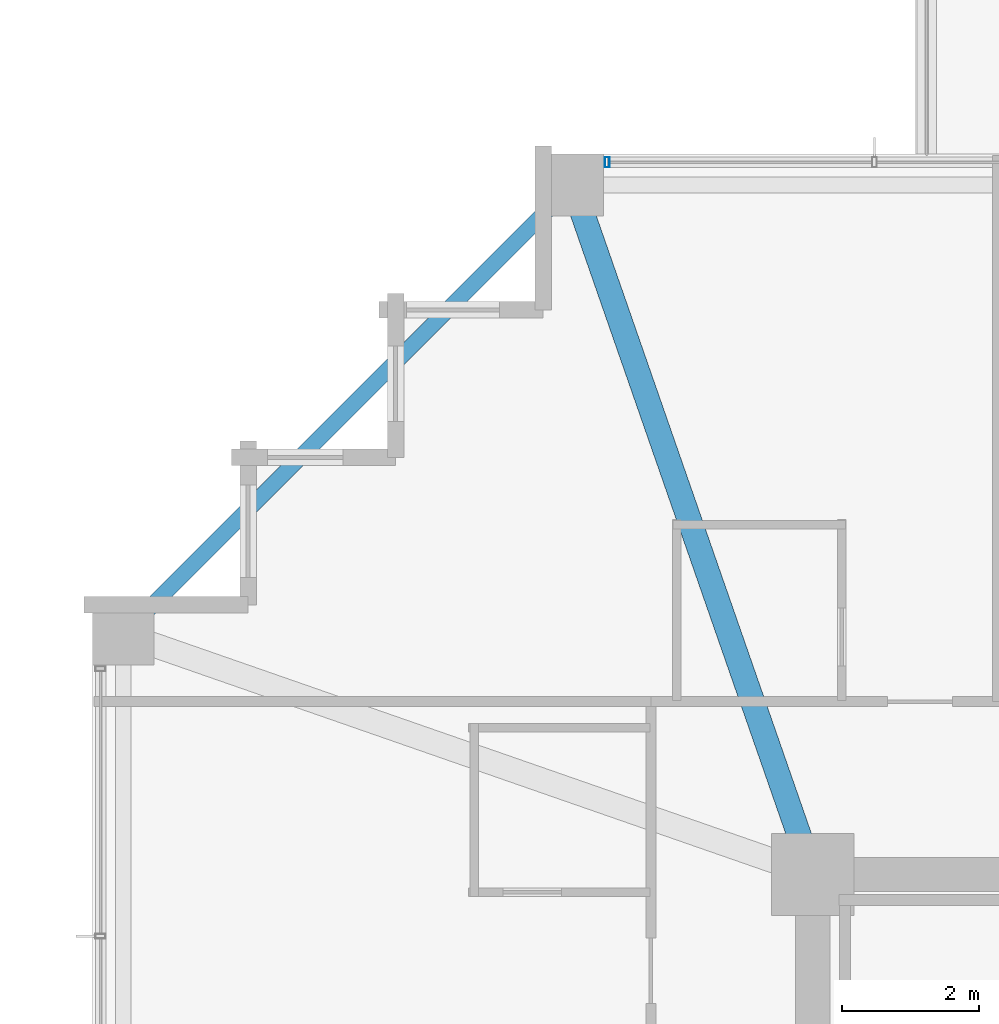
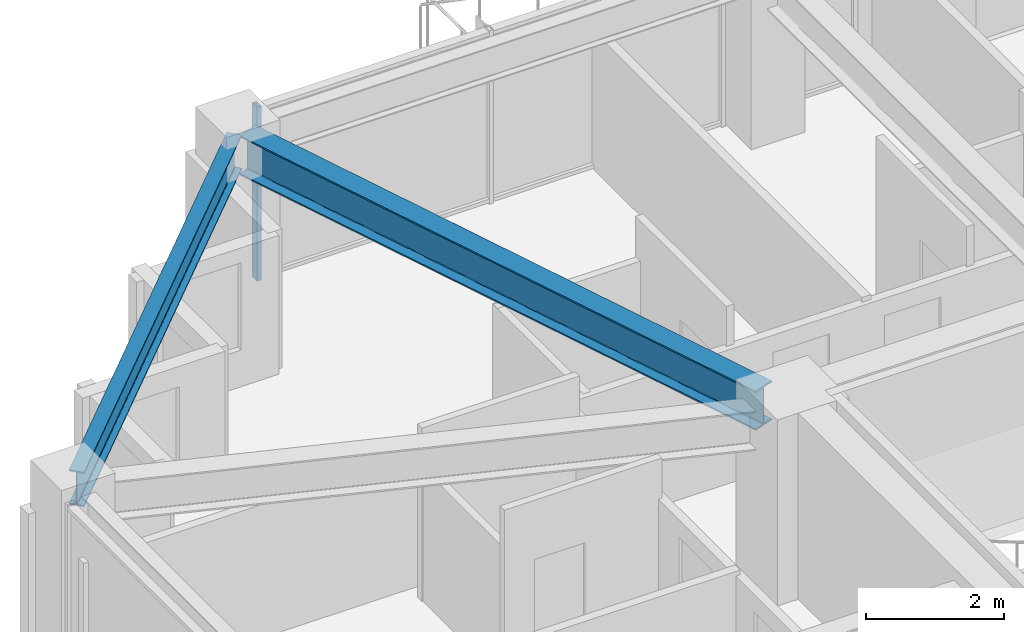
# One storey, part 17 of 37: 2 beams, 1 member, 1 element without a shape of its own.
"""IFC4 building model written with IfcOpenShell, lengths in metres."""

from ifc_helpers import new_model, si_unit, direction, frame, origin, origin_2d, place, context, subcontext, project, spatial, hollow_rectangle, i_section, extrude, material, material_profile, profile_set, type_object, element, aggregate, save


model = new_model("IFC4")

# Units and contexts
model_context = context("Model", 3, precision=1e-05, world=origin(), true_north=direction((0.0, 1.0)))
body_context = subcontext(model_context, "Body", "Model", "MODEL_VIEW")
ifc_project = project(units=[si_unit("LENGTHUNIT", "METRE"), si_unit("AREAUNIT", "SQUARE_METRE"), si_unit("VOLUMEUNIT", "CUBIC_METRE"), si_unit("PLANEANGLEUNIT", "RADIAN"), si_unit("MASSUNIT", "GRAM", prefix="KILO")], contexts=[model_context])

# Site, building, storey
site_placement = place(None, origin())
site = spatial("IfcSite", under=ifc_project, at=site_placement, CompositionType="ELEMENT")
building_placement = place(site_placement, origin())
building = spatial("IfcBuilding", under=site, at=building_placement, Name="Kolvaren Belvedere", CompositionType="ELEMENT")
storey_placement = place(building_placement, frame((0.0, 0.0, 180.0)))
storey = spatial("IfcBuildingStorey", under=building, at=storey_placement, Name="L52", CompositionType="ELEMENT", Elevation=180.0)

# Beams
ifc_material_1 = material(Name="Structural steel ASTM A992 Grade 50", Category="steel")
ifc_material_profile_1 = material_profile(ifc_material_1, i_section(OverallWidth=0.35498046875, OverallDepth=0.696044921875, WebThickness=0.015380859375, FlangeThickness=0.02490234375, FilletRadius=0.02197265625, at=origin_2d()), Name="W27X146")
ifc_profile_set_1 = profile_set([ifc_material_profile_1], Name="Structural steel ASTM A992 Grade 50")
beam_type_1 = type_object("IfcBeamType", Name="BM-GIRD-W27X146", PredefinedType="BEAM", material=ifc_profile_set_1)
beam_1_placement = place(storey_placement, frame((-10.080810546875, 10.41943359375, 2.73193359375), z_axis=(-0.328894130701, 0.944366798861, 0.0), x_axis=(-0.944366798861, -0.328894130701, 0.0)))
element("IfcBeam", 1, at=beam_1_placement, inside=storey, type_object=beam_type_1, Name="L52 Corner Core-to-Perimeter Girder CC4-N1", PredefinedType="BEAM", context=body_context, shape_type="SweptSolid", body=[
    extrude(i_section(OverallWidth=0.35498046875, OverallDepth=0.696044921875, WebThickness=0.015380859375, FlangeThickness=0.02490234375, FilletRadius=0.02197265625, at=origin_2d()), origin(), (0.0, 0.0, 1.0), 9.912109375),
])
ifc_material_2 = material(Name="Structural steel ASTM A992 Grade 50", Category="steel")
ifc_material_profile_2 = material_profile(ifc_material_2, i_section(OverallWidth=0.22900390625, OverallDepth=0.612060546875, WebThickness=0.011962890625, FlangeThickness=0.01953125, FilletRadius=0.01806640625, at=origin_2d()), Name="W24X84")
ifc_profile_set_2 = profile_set([ifc_material_profile_2], Name="Structural steel ASTM A992 Grade 50")
beam_type_2 = type_object("IfcBeamType", Name="BM-SPAN-W24X84", PredefinedType="SPANDREL", material=ifc_profile_set_2)
beam_2_placement = place(storey_placement, frame((-13.543212890625, 19.806884765625, 2.77392578125), z_axis=(-0.707106781187, -0.707106781187, 0.0), x_axis=(0.707106781187, -0.707106781187, 0.0)))
element("IfcBeam", 2, at=beam_2_placement, inside=storey, type_object=beam_type_2, Name="L52 Perimeter Spandrel N1-W4", PredefinedType="SPANDREL", context=body_context, shape_type="SweptSolid", body=[
    extrude(i_section(OverallWidth=0.22900390625, OverallDepth=0.612060546875, WebThickness=0.011962890625, FlangeThickness=0.01953125, FilletRadius=0.01806640625, at=origin_2d()), origin(), (0.0, 0.0, 1.0), 8.858154296875),
])

# Curtain wall, member
ifc_material_3 = material(Name="Anodised pale-metal aluminium AA 6063-T6", Category="aluminium")
curtain_wall_type = type_object("IfcCurtainWallType", Name="CW-Z5-HIGH", PredefinedType="NOTDEFINED", material=ifc_material_3)
curtain_wall_placement = place(storey_placement, origin())
curtain_wall = element("IfcCurtainWall", 3, at=curtain_wall_placement, inside=storey, type_object=curtain_wall_type, Name="L52 Unitised Curtain Wall FCW-L52-N1-B1", PredefinedType="NOTDEFINED")
ifc_material_4 = material(Name="Anodised pale-metal aluminium AA 6063-T6", Category="aluminium")
ifc_material_profile_3 = material_profile(ifc_material_4, hollow_rectangle(XDim=0.070068359375, YDim=0.14990234375, WallThickness=0.004150390625, at=origin_2d()), Name="ALU-MUL-150X70")
ifc_profile_set_3 = profile_set([ifc_material_profile_3], Name="Anodised pale-metal aluminium AA 6063-T6")
member_type = type_object("IfcMemberType", Name="CW-MUL-150", PredefinedType="MULLION", material=ifc_profile_set_3)
member_placement = place(storey_placement, frame((-12.89501953125, 20.280029296875, 0.0), z_axis=(0.0, 0.0, 1.0), x_axis=(1.0, 0.0, 0.0)))
member = element("IfcMember", 4, at=member_placement, type_object=member_type, Name="FCW-L52-N1-B1 Unitised Mullion 1", PredefinedType="MULLION", context=body_context, shape_type="SweptSolid", body=[
    extrude(hollow_rectangle(XDim=0.070068359375, YDim=0.14990234375, WallThickness=0.004150390625, at=origin_2d()), origin(), (0.0, 0.0, 1.0), 3.080078125),
])
aggregate(curtain_wall, [member])

save(model, "model.ifc")
